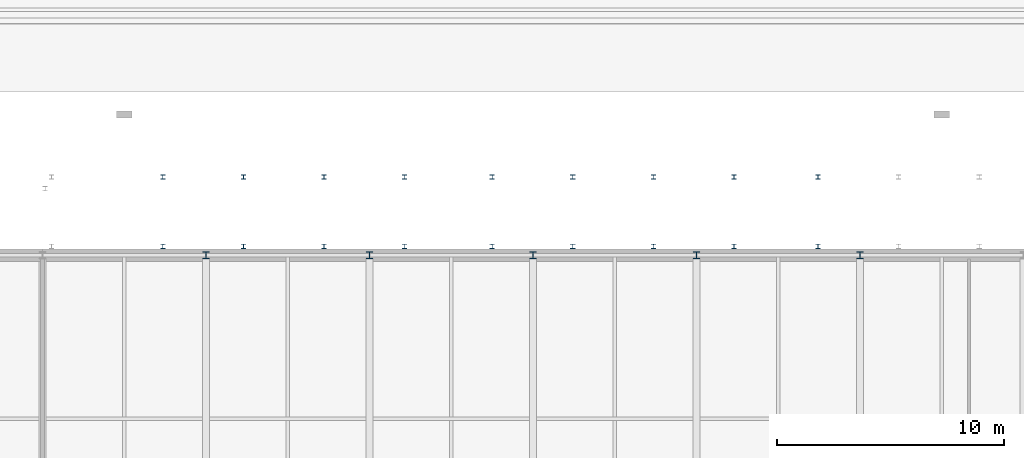
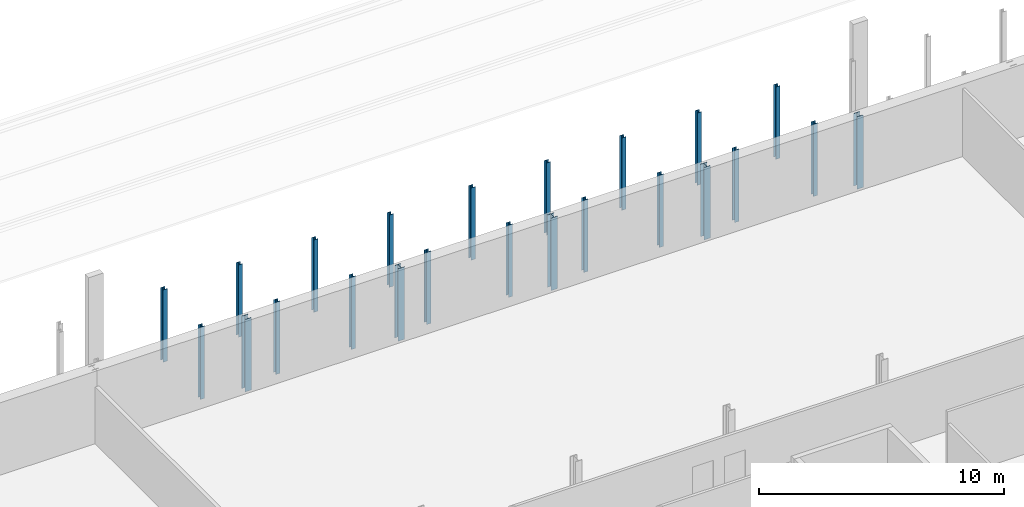
# One storey, part 25 of 90: 23 columns.
"""IFC4 building model written with IfcOpenShell, lengths in metres."""

from ifc_helpers import new_model, si_unit, direction, frame, origin, origin_2d, place, context, subcontext, project, spatial, i_section, extrude, material, material_profile, profile_set, type_object, element, save


model = new_model("IFC4")

# Units and contexts
model_context = context("Model", 3, precision=1e-05, world=origin(), true_north=direction((0.0, 1.0)))
body_context = subcontext(model_context, "Body", "Model", "MODEL_VIEW")
ifc_project = project(units=[si_unit("LENGTHUNIT", "METRE"), si_unit("AREAUNIT", "SQUARE_METRE"), si_unit("VOLUMEUNIT", "CUBIC_METRE"), si_unit("PLANEANGLEUNIT", "RADIAN"), si_unit("MASSUNIT", "GRAM", prefix="KILO")], contexts=[model_context])

# Site, building, storey
site_placement = place(None, origin())
site = spatial("IfcSite", under=ifc_project, at=site_placement, CompositionType="ELEMENT")
building_placement = place(site_placement, origin())
building = spatial("IfcBuilding", under=site, at=building_placement, Name="Kupolbacken Congress Centre", CompositionType="ELEMENT")
storey_placement = place(building_placement, frame((0.0, 0.0, 3.60009765625)))
storey = spatial("IfcBuildingStorey", under=building, at=storey_placement, Name="L01", CompositionType="ELEMENT", Elevation=3.60009765625)

# Columns
ifc_material_1 = material(Name="Steel S355", Category="steel")
ifc_material_profile_1 = material_profile(ifc_material_1, i_section(OverallWidth=0.300048828125, OverallDepth=0.300048828125, WebThickness=0.010986328125, FlangeThickness=0.01904296875, FilletRadius=0.027099609375, at=origin_2d()), Name="HEB 300")
ifc_profile_set_1 = profile_set([ifc_material_profile_1], Name="Steel S355")
column_type_1 = type_object("IfcColumnType", Name="C06 column HEB 300", PredefinedType="COLUMN", material=ifc_profile_set_1)
for number, where, z_axis, x_axis, name in (
    (1, (158.39990234375, 151.199951171875, 0.0), (0.0, 0.0, 1.0), (1.0, 0.0, 0.0), "S/col/C-B-B2N/L01"),
    (2, (165.60009765625, 151.199951171875, 0.0), (0.0, 0.0, 1.0), (1.0, 0.0, 0.0), "S/col/C-B-B3N/L01"),
    (3, (172.800048828125, 151.199951171875, 0.0), (0.0, 0.0, 1.0), (1.0, 0.0, 0.0), "S/col/C-B-B4N/L01"),
    (4, (180.0, 151.199951171875, 0.0), (0.0, 0.0, 1.0), (1.0, 0.0, 0.0), "S/col/C-B-B5N/L01"),
    (5, (187.199951171875, 151.199951171875, 0.0), (0.0, 0.0, 1.0), (1.0, 0.0, 0.0), "S/col/C-B-B6N/L01"),
):
    element("IfcColumn", number, at=place(storey_placement, frame(where, z_axis=z_axis, x_axis=x_axis)), inside=storey, type_object=column_type_1, Name=name, PredefinedType="COLUMN", context=body_context, shape_type="SweptSolid", body=[
        extrude(i_section(OverallWidth=0.300048828125, OverallDepth=0.300048828125, WebThickness=0.010986328125, FlangeThickness=0.01904296875, FilletRadius=0.027099609375, at=origin_2d()), origin(), (0.0, 0.0, 1.0), 3.599853515625),
    ])
ifc_material_2 = material(Name="Steel S355", Category="steel")
ifc_material_profile_2 = material_profile(ifc_material_2, i_section(OverallWidth=0.199951171875, OverallDepth=0.199951171875, WebThickness=0.009033203125, FlangeThickness=0.014892578125, FilletRadius=0.01806640625, at=origin_2d()), Name="HEB 200")
ifc_profile_set_2 = profile_set([ifc_material_profile_2], Name="Steel S355")
column_type_2 = type_object("IfcColumnType", Name="C11 column HEB 200", PredefinedType="COLUMN", material=ifc_profile_set_2)
for number, where, z_axis, x_axis, name in (
    (6, (156.5, 151.60009765625, 0.0), (0.0, 0.0, 1.0), (1.0, 0.0, 0.0), "Covered passage column"),
    (7, (156.5, 154.64990234375, 0.0), (0.0, 0.0, 1.0), (1.0, 0.0, 0.0), "Covered passage column"),
    (8, (160.050048828125, 151.60009765625, 0.0), (0.0, 0.0, 1.0), (1.0, 0.0, 0.0), "Covered passage column"),
    (9, (160.050048828125, 154.64990234375, 0.0), (0.0, 0.0, 1.0), (1.0, 0.0, 0.0), "Covered passage column"),
    (10, (163.60009765625, 151.60009765625, 0.0), (0.0, 0.0, 1.0), (1.0, 0.0, 0.0), "Covered passage column"),
    (11, (163.60009765625, 154.64990234375, 0.0), (0.0, 0.0, 1.0), (1.0, 0.0, 0.0), "Covered passage column"),
    (12, (167.14990234375, 151.60009765625, 0.0), (0.0, 0.0, 1.0), (1.0, 0.0, 0.0), "Covered passage column"),
    (13, (167.14990234375, 154.64990234375, 0.0), (0.0, 0.0, 1.0), (1.0, 0.0, 0.0), "Covered passage column"),
    (14, (171.0, 151.60009765625, 0.0), (0.0, 0.0, 1.0), (1.0, 0.0, 0.0), "Covered passage column"),
    (15, (171.0, 154.64990234375, 0.0), (0.0, 0.0, 1.0), (1.0, 0.0, 0.0), "Covered passage column"),
    (16, (174.550048828125, 151.60009765625, 0.0), (0.0, 0.0, 1.0), (1.0, 0.0, 0.0), "Covered passage column"),
    (17, (174.550048828125, 154.64990234375, 0.0), (0.0, 0.0, 1.0), (1.0, 0.0, 0.0), "Covered passage column"),
    (18, (178.10009765625, 151.60009765625, 0.0), (0.0, 0.0, 1.0), (1.0, 0.0, 0.0), "Covered passage column"),
    (19, (178.10009765625, 154.64990234375, 0.0), (0.0, 0.0, 1.0), (1.0, 0.0, 0.0), "Covered passage column"),
    (20, (181.64990234375, 151.60009765625, 0.0), (0.0, 0.0, 1.0), (1.0, 0.0, 0.0), "Covered passage column"),
    (21, (181.64990234375, 154.64990234375, 0.0), (0.0, 0.0, 1.0), (1.0, 0.0, 0.0), "Covered passage column"),
    (22, (185.35009765625, 151.60009765625, 0.0), (0.0, 0.0, 1.0), (1.0, 0.0, 0.0), "Covered passage column"),
    (23, (185.35009765625, 154.64990234375, 0.0), (0.0, 0.0, 1.0), (1.0, 0.0, 0.0), "Covered passage column"),
):
    element("IfcColumn", number, at=place(storey_placement, frame(where, z_axis=z_axis, x_axis=x_axis)), inside=storey, type_object=column_type_2, Name=name, PredefinedType="COLUMN", context=body_context, shape_type="SweptSolid", body=[
        extrude(i_section(OverallWidth=0.199951171875, OverallDepth=0.199951171875, WebThickness=0.009033203125, FlangeThickness=0.014892578125, FilletRadius=0.01806640625, at=origin_2d()), origin(), (0.0, 0.0, 1.0), 3.599853515625),
    ])

save(model, "model.ifc")
